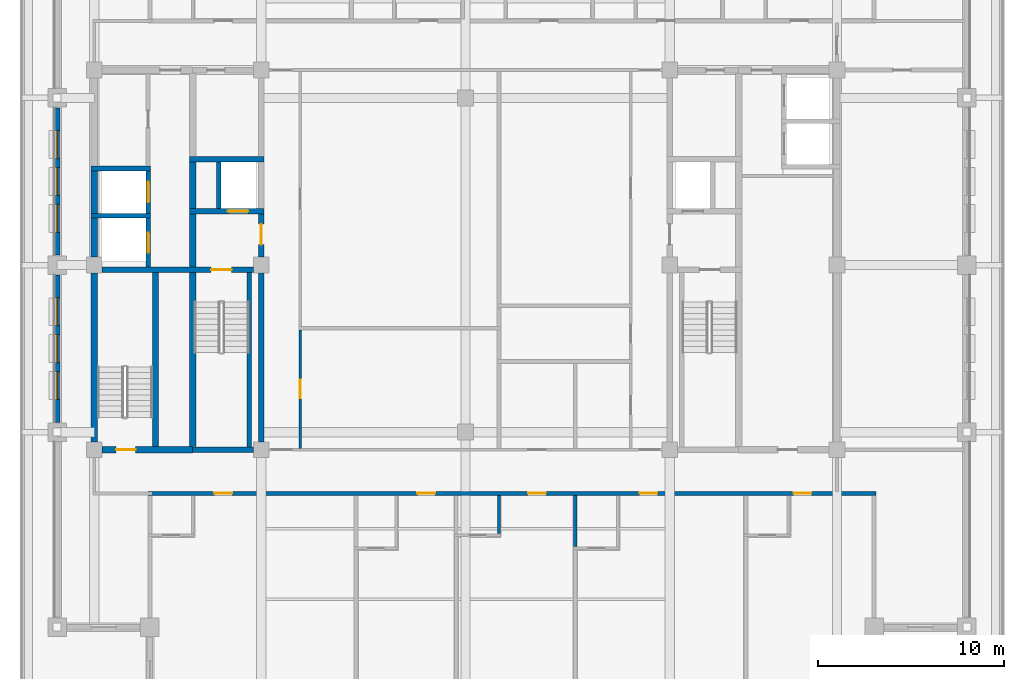
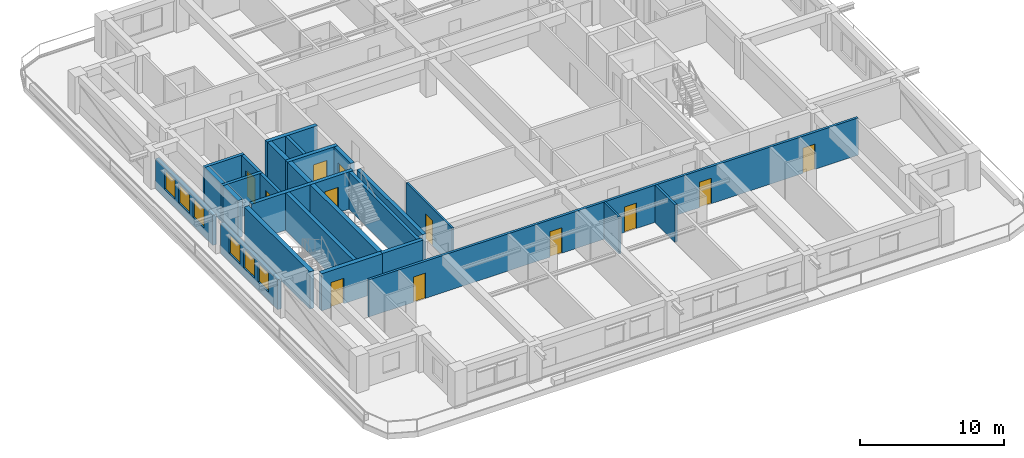
# One storey, part 3 of 13: 26 walls, 12 doors, 6 windows, 18 openings.
"""IFC4 building model written with IfcOpenShell, lengths in metres."""

from ifc_helpers import new_model, si_unit, direction, frame, frame_2d, origin, place, context, subcontext, project, spatial, rectangle, extrude, material, layer, layer_set, type_object, element, fill, save


model = new_model("IFC4")

# Units and contexts
model_context = context("Model", 3, precision=1e-05, world=origin(), true_north=direction((0.0, 1.0)))
body_context = subcontext(model_context, "Body", "Model", "MODEL_VIEW")
ifc_project = project(units=[si_unit("LENGTHUNIT", "METRE"), si_unit("AREAUNIT", "SQUARE_METRE"), si_unit("VOLUMEUNIT", "CUBIC_METRE"), si_unit("PLANEANGLEUNIT", "RADIAN"), si_unit("MASSUNIT", "GRAM", prefix="KILO")], contexts=[model_context])

# Site, building, storey
site_placement = place(None, origin())
site = spatial("IfcSite", under=ifc_project, at=site_placement, CompositionType="ELEMENT")
building_placement = place(site_placement, origin())
building = spatial("IfcBuilding", under=site, at=building_placement, Name="Zulmaris Gate Convention Tower", CompositionType="ELEMENT")
storey_placement = place(building_placement, frame((0.0, 0.0, 166.059814453125)))
storey = spatial("IfcBuildingStorey", under=building, at=storey_placement, Name="L42", CompositionType="ELEMENT", Elevation=166.059814453125)

# Walls
ifc_material_1 = material(Name="Concrete C50/60", Category="concrete")
ifc_layer_1 = layer(ifc_material_1, 0.25, Name="Concrete C50/60")
ifc_layer_set_1 = layer_set([ifc_layer_1], Name="Concrete C50/60")
wall_type_1 = type_object("IfcWallType", Name="CORE-250", PredefinedType="SOLIDWALL", material=ifc_layer_set_1)
for number, where, z_axis, x_axis, name in (
    (1, (-20.175048828125, 2.64990234375, 0.0), (0.0, 0.0, 1.0), (1.0, 0.0, 0.0), "WL-L42-007"),
    (2, (-20.175048828125, 5.199951171875, 0.0), (0.0, 0.0, 1.0), (1.0, 0.0, 0.0), "WL-L42-010"),
):
    element("IfcWall", number, at=place(storey_placement, frame(where, z_axis=z_axis, x_axis=x_axis)), inside=storey, type_object=wall_type_1, Name=name, PredefinedType="SOLIDWALL", context=body_context, shape_type="SweptSolid", body=[
        extrude(rectangle(XDim=3.199951171875, YDim=0.25, at=frame_2d((1.60009765625, 0.0))), origin(), (0.0, 0.0, 1.0), 3.150146484375),
    ])

# Wall, opening, door
wall_1_placement = place(storey_placement, frame((-17.10009765625, -0.097900390625, 0.0), z_axis=(0.0, 0.0, 1.0), x_axis=(0.0, 1.0, 0.0)))
wall_1 = element("IfcWall", 3, at=wall_1_placement, inside=storey, type_object=wall_type_1, Name="WL-L42-046", PredefinedType="SOLIDWALL", context=body_context, shape_type="SweptSolid", body=[
    extrude(rectangle(XDim=2.620849609375, YDim=0.25, at=frame_2d((1.310546875, 0.0))), origin(), (0.0, 0.0, 1.0), 3.150146484375),
])
opening_1_placement = place(wall_1_placement, frame((0.748046875, 0.0, 0.0)))
opening_1 = element("IfcOpeningElement", 4, at=opening_1_placement, cuts=wall_1, Name="Opening D-06", PredefinedType="OPENING", context=body_context, shape_type="SweptSolid", body=[
    extrude(rectangle(XDim=1.10009765625, YDim=2.199951171875, at=frame_2d((0.550048828125, 1.10009765625))), frame((0.0, 0.135009765625, 0.0), z_axis=(0.0, -1.0, 0.0), x_axis=(1.0, 0.0, 0.0)), (0.0, 0.0, 1.0), 0.27001953125),
])
ifc_material_2 = material(Name="Brushed Stainless Steel", Category="steel")
door_type_1 = type_object("IfcDoorType", Name="LD-1100", OperationType="NOTDEFINED", PredefinedType="DOOR", material=ifc_material_2)
door_1_placement = place(opening_1_placement, origin())
door_1 = element("IfcDoor", 5, at=door_1_placement, inside=storey, type_object=door_type_1, Name="L42 Lift Landing Door HP-03 10", OperationType="SLIDING_TO_LEFT", OverallHeight=2.199951171875, OverallWidth=1.10009765625, PredefinedType="DOOR", context=body_context, shape_type="SweptSolid", body=[
    extrude(rectangle(XDim=1.10009765625, YDim=2.199951171875, at=frame_2d((0.550048828125, 1.10009765625))), frame((0.0, 0.02490234375, 0.0), z_axis=(0.0, -1.0, 0.0), x_axis=(1.0, 0.0, 0.0)), (0.0, 0.0, 1.0), 0.050048828125),
])
fill(opening_1, door_1)

wall_2_placement = place(storey_placement, frame((-17.10009765625, 2.777099609375, 0.0), z_axis=(0.0, 0.0, 1.0), x_axis=(0.0, 1.0, 0.0)))
wall_2 = element("IfcWall", 6, at=wall_2_placement, inside=storey, type_object=wall_type_1, Name="WL-L42-047", PredefinedType="SOLIDWALL", context=body_context, shape_type="SweptSolid", body=[
    extrude(rectangle(XDim=2.2958984375, YDim=0.25, at=frame_2d((1.14794921875, 0.0))), origin(), (0.0, 0.0, 1.0), 3.150146484375),
])
opening_2_placement = place(wall_2_placement, frame((0.597900390625, 0.0, 0.0)))
opening_2 = element("IfcOpeningElement", 7, at=opening_2_placement, cuts=wall_2, Name="Opening D-06", PredefinedType="OPENING", context=body_context, shape_type="SweptSolid", body=[
    extrude(rectangle(XDim=1.10009765625, YDim=2.199951171875, at=frame_2d((0.550048828125, 1.10009765625))), frame((0.0, 0.135009765625, 0.0), z_axis=(0.0, -1.0, 0.0), x_axis=(1.0, 0.0, 0.0)), (0.0, 0.0, 1.0), 0.27001953125),
])
door_2_placement = place(opening_2_placement, origin())
door_2 = element("IfcDoor", 8, at=door_2_placement, inside=storey, type_object=door_type_1, Name="L42 Lift Landing Door HP-04 11", OperationType="SLIDING_TO_LEFT", OverallHeight=2.199951171875, OverallWidth=1.10009765625, PredefinedType="DOOR", context=body_context, shape_type="SweptSolid", body=[
    extrude(rectangle(XDim=1.10009765625, YDim=2.199951171875, at=frame_2d((0.550048828125, 1.10009765625))), frame((0.0, 0.02490234375, 0.0), z_axis=(0.0, -1.0, 0.0), x_axis=(1.0, 0.0, 0.0)), (0.0, 0.0, 1.0), 0.050048828125),
])
fill(opening_2, door_2)

# Walls
wall_3_placement = place(storey_placement, frame((-13.300048828125, 3.052001953125, 0.0), z_axis=(0.0, 0.0, 1.0), x_axis=(0.0, 1.0, 0.0)))
element("IfcWall", 9, at=wall_3_placement, inside=storey, type_object=wall_type_1, Name="WL-L42-053", PredefinedType="SOLIDWALL", context=body_context, shape_type="SweptSolid", body=[
    extrude(rectangle(XDim=2.49609375, YDim=0.25, at=frame_2d((1.248046875, 0.0))), origin(), (0.0, 0.0, 1.0), 3.150146484375),
])
wall_4_placement = place(storey_placement, frame((-11.64990234375, -9.798095703125, 0.0), z_axis=(0.0, 0.0, 1.0), x_axis=(0.0, 1.0, 0.0)))
element("IfcWall", 10, at=wall_4_placement, inside=storey, type_object=wall_type_1, Name="WL-L42-054", PredefinedType="SOLIDWALL", context=body_context, shape_type="SweptSolid", body=[
    extrude(rectangle(XDim=9.39599609375, YDim=0.25, at=frame_2d((4.697998046875, 0.0))), origin(), (0.0, 0.0, 1.0), 3.150146484375),
])
ifc_layer_2 = layer(ifc_material_1, 0.300048828125, Name="Concrete C50/60")
ifc_layer_set_2 = layer_set([ifc_layer_2], Name="Concrete C50/60")
wall_type_2 = type_object("IfcWallType", Name="CORE-300", PredefinedType="SHEAR", material=ifc_layer_set_2)
wall_5_placement = place(storey_placement, frame((-14.699951171875, -9.949951171875, 0.0), z_axis=(0.0, 0.0, 1.0), x_axis=(1.0, 0.0, 0.0)))
element("IfcWall", 11, at=wall_5_placement, inside=storey, type_object=wall_type_2, Name="WL-L42-002", PredefinedType="SHEAR", context=body_context, shape_type="SweptSolid", body=[
    extrude(rectangle(XDim=3.27099609375, YDim=0.300048828125, at=frame_2d((1.635498046875, 0.0))), origin(), (0.0, 0.0, 1.0), 3.150146484375),
])

# Wall, opening, door
wall_6_placement = place(storey_placement, frame((-19.571044921875, -0.25, 0.0), z_axis=(0.0, 0.0, 1.0), x_axis=(1.0, 0.0, 0.0)))
wall_6 = element("IfcWall", 12, at=wall_6_placement, inside=storey, type_object=wall_type_2, Name="WL-L42-005", PredefinedType="SHEAR", context=body_context, shape_type="SweptSolid", body=[
    extrude(rectangle(XDim=8.14208984375, YDim=0.300048828125, at=frame_2d((4.071044921875, 0.0))), origin(), (0.0, 0.0, 1.0), 3.150146484375),
])
opening_3_placement = place(wall_6_placement, frame((5.87109375, 0.0, 0.0)))
opening_3 = element("IfcOpeningElement", 13, at=opening_3_placement, cuts=wall_6, Name="Opening D-08", PredefinedType="OPENING", context=body_context, shape_type="SweptSolid", body=[
    extrude(rectangle(XDim=1.10009765625, YDim=2.14990234375, at=frame_2d((0.550048828125, 1.074951171875))), frame((0.0, 0.16015625, 0.0), z_axis=(0.0, -1.0, 0.0), x_axis=(1.0, 0.0, 0.0)), (0.0, 0.0, 1.0), 0.320068359375),
])
ifc_material_3 = material(Name="Fire-Rated Steel", Category="steel")
door_type_2 = type_object("IfcDoorType", Name="DR-1100-FD", OperationType="NOTDEFINED", PredefinedType="DOOR", material=ifc_material_3)
door_3_placement = place(opening_3_placement, origin())
door_3 = element("IfcDoor", 14, at=door_3_placement, inside=storey, type_object=door_type_2, Name="L42 Exit Stair ST-1 Door 01", OperationType="SINGLE_SWING_LEFT", OverallHeight=2.14990234375, OverallWidth=1.10009765625, PredefinedType="DOOR", context=body_context, shape_type="SweptSolid", body=[
    extrude(rectangle(XDim=1.10009765625, YDim=2.14990234375, at=frame_2d((0.550048828125, 1.074951171875))), frame((0.0, 0.02490234375, 0.0), z_axis=(0.0, -1.0, 0.0), x_axis=(1.0, 0.0, 0.0)), (0.0, 0.0, 1.0), 0.050048828125),
])
fill(opening_3, door_3)

wall_7_placement = place(storey_placement, frame((-14.875, 2.89990234375, 0.0), z_axis=(0.0, 0.0, 1.0), x_axis=(1.0, 0.0, 0.0)))
wall_7 = element("IfcWall", 15, at=wall_7_placement, inside=storey, type_object=wall_type_2, Name="WL-L42-008", PredefinedType="SHEAR", context=body_context, shape_type="SweptSolid", body=[
    extrude(rectangle(XDim=4.02490234375, YDim=0.300048828125, at=frame_2d((2.012451171875, 0.0))), origin(), (0.0, 0.0, 1.0), 3.150146484375),
])
opening_4_placement = place(wall_7_placement, frame((2.074951171875, 0.0, 0.0)))
opening_4 = element("IfcOpeningElement", 16, at=opening_4_placement, cuts=wall_7, Name="Opening D-06", PredefinedType="OPENING", context=body_context, shape_type="SweptSolid", body=[
    extrude(rectangle(XDim=1.10009765625, YDim=2.199951171875, at=frame_2d((0.550048828125, 1.10009765625))), frame((0.0, 0.16015625, 0.0), z_axis=(0.0, -1.0, 0.0), x_axis=(1.0, 0.0, 0.0)), (0.0, 0.0, 1.0), 0.320068359375),
])
door_4_placement = place(opening_4_placement, origin())
door_4 = element("IfcDoor", 17, at=door_4_placement, inside=storey, type_object=door_type_1, Name="L42 Lift Landing Door LF-01 03", OperationType="SLIDING_TO_LEFT", OverallHeight=2.199951171875, OverallWidth=1.10009765625, PredefinedType="DOOR", context=body_context, shape_type="SweptSolid", body=[
    extrude(rectangle(XDim=1.10009765625, YDim=2.199951171875, at=frame_2d((0.550048828125, 1.10009765625))), frame((0.0, 0.02490234375, 0.0), z_axis=(0.0, -1.0, 0.0), x_axis=(1.0, 0.0, 0.0)), (0.0, 0.0, 1.0), 0.050048828125),
])
fill(opening_4, door_4)

# Walls
wall_8_placement = place(storey_placement, frame((-14.875, 5.699951171875, 0.0), z_axis=(0.0, 0.0, 1.0), x_axis=(1.0, 0.0, 0.0)))
element("IfcWall", 18, at=wall_8_placement, inside=storey, type_object=wall_type_2, Name="WL-L42-012", PredefinedType="SHEAR", context=body_context, shape_type="SweptSolid", body=[
    extrude(rectangle(XDim=4.02490234375, YDim=0.300048828125, at=frame_2d((2.012451171875, 0.0))), origin(), (0.0, 0.0, 1.0), 3.150146484375),
])
wall_9_placement = place(storey_placement, frame((-16.699951171875, -9.77294921875, 0.0), z_axis=(0.0, 0.0, 1.0), x_axis=(0.0, 1.0, 0.0)))
element("IfcWall", 19, at=wall_9_placement, inside=storey, type_object=wall_type_2, Name="WL-L42-048", PredefinedType="SHEAR", context=body_context, shape_type="SweptSolid", body=[
    extrude(rectangle(XDim=9.370849609375, YDim=0.300048828125, at=frame_2d((4.685546875, 0.0))), origin(), (0.0, 0.0, 1.0), 3.150146484375),
])
wall_10_placement = place(storey_placement, frame((-11.0, -9.52099609375, 0.0), z_axis=(0.0, 0.0, 1.0), x_axis=(0.0, 1.0, 0.0)))
element("IfcWall", 20, at=wall_10_placement, inside=storey, type_object=wall_type_2, Name="WL-L42-055", PredefinedType="SHEAR", context=body_context, shape_type="SweptSolid", body=[
    extrude(rectangle(XDim=9.092041015625, YDim=0.300048828125, at=frame_2d((4.5458984375, 0.0))), origin(), (0.0, 0.0, 1.0), 3.150146484375),
])

# Wall, opening, door
wall_11_placement = place(storey_placement, frame((-11.0, 0.428955078125, 0.0), z_axis=(0.0, 0.0, 1.0), x_axis=(0.0, 1.0, 0.0)))
wall_11 = element("IfcWall", 21, at=wall_11_placement, inside=storey, type_object=wall_type_2, Name="WL-L42-056", PredefinedType="SHEAR", context=body_context, shape_type="SweptSolid", body=[
    extrude(rectangle(XDim=2.319091796875, YDim=0.300048828125, at=frame_2d((1.15966796875, 0.0))), origin(), (0.0, 0.0, 1.0), 3.150146484375),
])
opening_5_placement = place(wall_11_placement, frame((0.6708984375, 0.0, 0.0)))
opening_5 = element("IfcOpeningElement", 22, at=opening_5_placement, cuts=wall_11, Name="Opening D-08", PredefinedType="OPENING", context=body_context, shape_type="SweptSolid", body=[
    extrude(rectangle(XDim=1.10009765625, YDim=2.14990234375, at=frame_2d((0.550048828125, 1.074951171875))), frame((0.0, 0.16015625, 0.0), z_axis=(0.0, -1.0, 0.0), x_axis=(1.0, 0.0, 0.0)), (0.0, 0.0, 1.0), 0.320068359375),
])
door_5_placement = place(opening_5_placement, origin())
door_5 = element("IfcDoor", 23, at=door_5_placement, inside=storey, type_object=door_type_2, Name="L42 West Firefighting Lobby Door 02", OperationType="SINGLE_SWING_RIGHT", OverallHeight=2.14990234375, OverallWidth=1.10009765625, PredefinedType="DOOR", context=body_context, shape_type="SweptSolid", body=[
    extrude(rectangle(XDim=1.10009765625, YDim=2.14990234375, at=frame_2d((0.550048828125, 1.074951171875))), frame((0.0, 0.02490234375, 0.0), z_axis=(0.0, -1.0, 0.0), x_axis=(1.0, 0.0, 0.0)), (0.0, 0.0, 1.0), 0.050048828125),
])
fill(opening_5, door_5)

ifc_material_4 = material(Name="Concrete C55/67", Category="concrete")
ifc_layer_3 = layer(ifc_material_4, 0.35009765625, Name="Concrete C55/67")
ifc_layer_set_3 = layer_set([ifc_layer_3], Name="Concrete C55/67")
wall_type_3 = type_object("IfcWallType", Name="CORE-350", PredefinedType="SHEAR", material=ifc_layer_set_3)
wall_12_placement = place(storey_placement, frame((-19.571044921875, -9.949951171875, 0.0), z_axis=(0.0, 0.0, 1.0), x_axis=(1.0, 0.0, 0.0)))
wall_12 = element("IfcWall", 24, at=wall_12_placement, inside=storey, type_object=wall_type_3, Name="WL-L42-001", PredefinedType="SHEAR", context=body_context, shape_type="SweptSolid", body=[
    extrude(rectangle(XDim=4.87109375, YDim=0.35009765625, at=frame_2d((2.435546875, 0.0))), origin(), (0.0, 0.0, 1.0), 3.150146484375),
])
opening_6_placement = place(wall_12_placement, frame((0.74609375, 0.0, 0.0)))
opening_6 = element("IfcOpeningElement", 25, at=opening_6_placement, cuts=wall_12, Name="Opening D-09", PredefinedType="OPENING", context=body_context, shape_type="SweptSolid", body=[
    extrude(rectangle(XDim=1.050048828125, YDim=2.14990234375, at=frame_2d((0.52490234375, 1.074951171875))), frame((0.0, 0.18505859375, 0.0), z_axis=(0.0, -1.0, 0.0), x_axis=(1.0, 0.0, 0.0)), (0.0, 0.0, 1.0), 0.3701171875),
])
door_type_3 = type_object("IfcDoorType", Name="DR-1050-FD", OperationType="NOTDEFINED", PredefinedType="DOOR", material=ifc_material_3)
door_6_placement = place(opening_6_placement, origin())
door_6 = element("IfcDoor", 26, at=door_6_placement, inside=storey, type_object=door_type_3, Name="L42 Exit Stair ST-3 Door 09", OperationType="SINGLE_SWING_LEFT", OverallHeight=2.14990234375, OverallWidth=1.050048828125, PredefinedType="DOOR", context=body_context, shape_type="SweptSolid", body=[
    extrude(rectangle(XDim=1.050048828125, YDim=2.14990234375, at=frame_2d((0.52490234375, 1.074951171875))), frame((0.0, 0.02490234375, 0.0), z_axis=(0.0, -1.0, 0.0), x_axis=(1.0, 0.0, 0.0)), (0.0, 0.0, 1.0), 0.050048828125),
])
fill(opening_6, door_6)

# Walls
wall_13_placement = place(storey_placement, frame((-20.0, -9.52099609375, 0.0), z_axis=(0.0, 0.0, 1.0), x_axis=(0.0, 1.0, 0.0)))
element("IfcWall", 27, at=wall_13_placement, inside=storey, type_object=wall_type_3, Name="WL-L42-042", PredefinedType="SHEAR", context=body_context, shape_type="SweptSolid", body=[
    extrude(rectangle(XDim=9.092041015625, YDim=0.35009765625, at=frame_2d((4.5458984375, 0.0))), origin(), (0.0, 0.0, 1.0), 3.150146484375),
])
wall_14_placement = place(storey_placement, frame((-20.0, 0.428955078125, 0.0), z_axis=(0.0, 0.0, 1.0), x_axis=(0.0, 1.0, 0.0)))
element("IfcWall", 28, at=wall_14_placement, inside=storey, type_object=wall_type_3, Name="WL-L42-043", PredefinedType="SHEAR", context=body_context, shape_type="SweptSolid", body=[
    extrude(rectangle(XDim=2.093994140625, YDim=0.35009765625, at=frame_2d((1.046875, 0.0))), origin(), (0.0, 0.0, 1.0), 3.150146484375),
])
wall_15_placement = place(storey_placement, frame((-20.0, 2.777099609375, 0.0), z_axis=(0.0, 0.0, 1.0), x_axis=(0.0, 1.0, 0.0)))
element("IfcWall", 29, at=wall_15_placement, inside=storey, type_object=wall_type_3, Name="WL-L42-044", PredefinedType="SHEAR", context=body_context, shape_type="SweptSolid", body=[
    extrude(rectangle(XDim=2.2958984375, YDim=0.35009765625, at=frame_2d((1.14794921875, 0.0))), origin(), (0.0, 0.0, 1.0), 3.150146484375),
])
wall_16_placement = place(storey_placement, frame((-14.699951171875, -9.77294921875, 0.0), z_axis=(0.0, 0.0, 1.0), x_axis=(0.0, 1.0, 0.0)))
element("IfcWall", 30, at=wall_16_placement, inside=storey, type_object=wall_type_3, Name="WL-L42-049", PredefinedType="SHEAR", context=body_context, shape_type="SweptSolid", body=[
    extrude(rectangle(XDim=9.370849609375, YDim=0.35009765625, at=frame_2d((4.685546875, 0.0))), origin(), (0.0, 0.0, 1.0), 3.150146484375),
])
wall_17_placement = place(storey_placement, frame((-14.699951171875, -0.097900390625, 0.0), z_axis=(0.0, 0.0, 1.0), x_axis=(0.0, 1.0, 0.0)))
element("IfcWall", 31, at=wall_17_placement, inside=storey, type_object=wall_type_3, Name="WL-L42-050", PredefinedType="SHEAR", context=body_context, shape_type="SweptSolid", body=[
    extrude(rectangle(XDim=2.845947265625, YDim=0.35009765625, at=frame_2d((1.4228515625, 0.0))), origin(), (0.0, 0.0, 1.0), 3.150146484375),
])
wall_18_placement = place(storey_placement, frame((-14.699951171875, 3.052001953125, 0.0), z_axis=(0.0, 0.0, 1.0), x_axis=(0.0, 1.0, 0.0)))
element("IfcWall", 32, at=wall_18_placement, inside=storey, type_object=wall_type_3, Name="WL-L42-051", PredefinedType="SHEAR", context=body_context, shape_type="SweptSolid", body=[
    extrude(rectangle(XDim=2.49609375, YDim=0.35009765625, at=frame_2d((1.248046875, 0.0))), origin(), (0.0, 0.0, 1.0), 3.150146484375),
])

# Wall, opening, door
ifc_material_5 = material(Name="Gypsum Metal Stud Partition")
ifc_layer_4 = layer(ifc_material_5, 0.14990234375, Name="Gypsum Metal Stud Partition")
ifc_layer_set_4 = layer_set([ifc_layer_4], Name="Gypsum Metal Stud Partition")
wall_type_4 = type_object("IfcWallType", Name="PART-150", PredefinedType="PARTITIONING", material=ifc_layer_set_4)
wall_19_placement = place(storey_placement, frame((-8.89990234375, -9.8720703125, 0.0), z_axis=(0.0, 0.0, 1.0), x_axis=(0.0, 1.0, 0.0)))
wall_19 = element("IfcWall", 33, at=wall_19_placement, inside=storey, type_object=wall_type_4, Name="WL-L42-083", PredefinedType="PARTITIONING", context=body_context, shape_type="SweptSolid", body=[
    extrude(rectangle(XDim=6.369140625, YDim=0.14990234375, at=frame_2d((3.1845703125, 0.0))), origin(), (0.0, 0.0, 1.0), 3.150146484375),
])
opening_7_placement = place(wall_19_placement, frame((2.701904296875, 0.0, 0.0)))
opening_7 = element("IfcOpeningElement", 34, at=opening_7_placement, cuts=wall_19, Name="Opening D-10", PredefinedType="OPENING", context=body_context, shape_type="SweptSolid", body=[
    extrude(rectangle(XDim=1.0, YDim=2.14990234375, at=frame_2d((0.5, 1.074951171875))), frame((0.0, 0.0849609375, 0.0), z_axis=(0.0, -1.0, 0.0), x_axis=(1.0, 0.0, 0.0)), (0.0, 0.0, 1.0), 0.169921875),
])
ifc_material_6 = material(Name="Fire-Rated Timber", Category="wood")
door_type_4 = type_object("IfcDoorType", Name="DR-1000-FD", OperationType="NOTDEFINED", PredefinedType="DOOR", material=ifc_material_6)
door_7_placement = place(opening_7_placement, origin())
door_7 = element("IfcDoor", 35, at=door_7_placement, inside=storey, type_object=door_type_4, Name="L42 Guest Study Door 43", OperationType="SINGLE_SWING_LEFT", OverallHeight=2.14990234375, OverallWidth=1.0, PredefinedType="DOOR", context=body_context, shape_type="SweptSolid", body=[
    extrude(rectangle(XDim=1.0, YDim=2.14990234375, at=frame_2d((0.5, 1.074951171875))), frame((0.0, 0.02490234375, 0.0), z_axis=(0.0, -1.0, 0.0), x_axis=(1.0, 0.0, 0.0)), (0.0, 0.0, 1.0), 0.050048828125),
])
fill(opening_7, door_7)

# Wall
wall_20_placement = place(storey_placement, frame((1.800048828125, -14.471923828125, 0.0), z_axis=(0.0, 0.0, 1.0), x_axis=(0.0, 1.0, 0.0)))
element("IfcWall", 36, at=wall_20_placement, inside=storey, type_object=wall_type_4, Name="WL-L42-095", PredefinedType="PARTITIONING", context=body_context, shape_type="SweptSolid", body=[
    extrude(rectangle(XDim=2.06884765625, YDim=0.14990234375, at=frame_2d((1.034423828125, 0.0))), origin(), (0.0, 0.0, 1.0), 3.150146484375),
])

# Wall, openings, doors
ifc_material_7 = material(Name="Autoclaved Aerated Concrete Block and Plasterboard", Category="concrete")
ifc_layer_5 = layer(ifc_material_7, 0.199951171875, Name="Autoclaved Aerated Concrete Block and Plasterboard")
ifc_layer_set_5 = layer_set([ifc_layer_5], Name="Autoclaved Aerated Concrete Block and Plasterboard")
wall_type_5 = type_object("IfcWallType", Name="PART-200", PredefinedType="PARTITIONING", material=ifc_layer_set_5)
wall_21_placement = place(storey_placement, frame((-17.10009765625, -12.300048828125, 0.0), z_axis=(0.0, 0.0, 1.0), x_axis=(1.0, 0.0, 0.0)))
wall_21 = element("IfcWall", 37, at=wall_21_placement, inside=storey, type_object=wall_type_5, Name="WL-L42-025", PredefinedType="PARTITIONING", context=body_context, shape_type="SweptSolid", body=[
    extrude(rectangle(XDim=39.2001953125, YDim=0.199951171875, at=frame_2d((19.60009765625, 0.0))), origin(), (0.0, 0.0, 1.0), 3.150146484375),
])
opening_8_placement = place(wall_21_placement, frame((3.574951171875, 0.0, 0.0)))
opening_8 = element("IfcOpeningElement", 38, at=opening_8_placement, cuts=wall_21, Name="Opening D-11", PredefinedType="OPENING", context=body_context, shape_type="SweptSolid", body=[
    extrude(rectangle(XDim=0.949951171875, YDim=2.14990234375, at=frame_2d((0.47509765625, 1.074951171875))), frame((0.0, 0.10986328125, 0.0), z_axis=(0.0, -1.0, 0.0), x_axis=(1.0, 0.0, 0.0)), (0.0, 0.0, 1.0), 0.219970703125),
])
opening_9_placement = place(wall_21_placement, frame((14.5048828125, 0.0, 0.0)))
opening_9 = element("IfcOpeningElement", 39, at=opening_9_placement, cuts=wall_21, Name="Opening D-11", PredefinedType="OPENING", context=body_context, shape_type="SweptSolid", body=[
    extrude(rectangle(XDim=0.949951171875, YDim=2.14990234375, at=frame_2d((0.47509765625, 1.074951171875))), frame((0.0, 0.10986328125, 0.0), z_axis=(0.0, -1.0, 0.0), x_axis=(1.0, 0.0, 0.0)), (0.0, 0.0, 1.0), 0.219970703125),
])
opening_10_placement = place(wall_21_placement, frame((20.47509765625, 0.0, 0.0)))
opening_10 = element("IfcOpeningElement", 40, at=opening_10_placement, cuts=wall_21, Name="Opening D-11", PredefinedType="OPENING", context=body_context, shape_type="SweptSolid", body=[
    extrude(rectangle(XDim=0.949951171875, YDim=2.14990234375, at=frame_2d((0.47509765625, 1.074951171875))), frame((0.0, 0.10986328125, 0.0), z_axis=(0.0, -1.0, 0.0), x_axis=(1.0, 0.0, 0.0)), (0.0, 0.0, 1.0), 0.219970703125),
])
opening_11_placement = place(wall_21_placement, frame((26.47509765625, 0.0, 0.0)))
opening_11 = element("IfcOpeningElement", 41, at=opening_11_placement, cuts=wall_21, Name="Opening D-11", PredefinedType="OPENING", context=body_context, shape_type="SweptSolid", body=[
    extrude(rectangle(XDim=0.949951171875, YDim=2.14990234375, at=frame_2d((0.47509765625, 1.074951171875))), frame((0.0, 0.10986328125, 0.0), z_axis=(0.0, -1.0, 0.0), x_axis=(1.0, 0.0, 0.0)), (0.0, 0.0, 1.0), 0.219970703125),
])
opening_12_placement = place(wall_21_placement, frame((34.77490234375, 0.0, 0.0)))
opening_12 = element("IfcOpeningElement", 42, at=opening_12_placement, cuts=wall_21, Name="Opening D-11", PredefinedType="OPENING", context=body_context, shape_type="SweptSolid", body=[
    extrude(rectangle(XDim=0.949951171875, YDim=2.14990234375, at=frame_2d((0.47509765625, 1.074951171875))), frame((0.0, 0.10986328125, 0.0), z_axis=(0.0, -1.0, 0.0), x_axis=(1.0, 0.0, 0.0)), (0.0, 0.0, 1.0), 0.219970703125),
])
door_type_5 = type_object("IfcDoorType", Name="DR-950-FD", OperationType="NOTDEFINED", PredefinedType="DOOR", material=ifc_material_6)
door_8_placement = place(opening_8_placement, origin())
door_8 = element("IfcDoor", 43, at=door_8_placement, inside=storey, type_object=door_type_5, Name="L42 Hotel Executive Suite Door 32", OperationType="SINGLE_SWING_RIGHT", OverallHeight=2.14990234375, OverallWidth=0.949951171875, PredefinedType="DOOR", context=body_context, shape_type="SweptSolid", body=[
    extrude(rectangle(XDim=0.949951171875, YDim=2.14990234375, at=frame_2d((0.47509765625, 1.074951171875))), frame((0.0, 0.02490234375, 0.0), z_axis=(0.0, -1.0, 0.0), x_axis=(1.0, 0.0, 0.0)), (0.0, 0.0, 1.0), 0.050048828125),
])
fill(opening_8, door_8)
door_9_placement = place(opening_9_placement, origin())
door_9 = element("IfcDoor", 44, at=door_9_placement, inside=storey, type_object=door_type_5, Name="L42 Hotel Guest Room Door 34", OperationType="SINGLE_SWING_RIGHT", OverallHeight=2.14990234375, OverallWidth=0.949951171875, PredefinedType="DOOR", context=body_context, shape_type="SweptSolid", body=[
    extrude(rectangle(XDim=0.949951171875, YDim=2.14990234375, at=frame_2d((0.47509765625, 1.074951171875))), frame((0.0, 0.02490234375, 0.0), z_axis=(0.0, -1.0, 0.0), x_axis=(1.0, 0.0, 0.0)), (0.0, 0.0, 1.0), 0.050048828125),
])
fill(opening_9, door_9)
door_10_placement = place(opening_10_placement, origin())
door_10 = element("IfcDoor", 45, at=door_10_placement, inside=storey, type_object=door_type_5, Name="L42 Hotel Executive Suite Door 36", OperationType="SINGLE_SWING_RIGHT", OverallHeight=2.14990234375, OverallWidth=0.949951171875, PredefinedType="DOOR", context=body_context, shape_type="SweptSolid", body=[
    extrude(rectangle(XDim=0.949951171875, YDim=2.14990234375, at=frame_2d((0.47509765625, 1.074951171875))), frame((0.0, 0.02490234375, 0.0), z_axis=(0.0, -1.0, 0.0), x_axis=(1.0, 0.0, 0.0)), (0.0, 0.0, 1.0), 0.050048828125),
])
fill(opening_10, door_10)
door_11_placement = place(opening_11_placement, origin())
door_11 = element("IfcDoor", 46, at=door_11_placement, inside=storey, type_object=door_type_5, Name="L42 Hotel Executive Suite Door 38", OperationType="SINGLE_SWING_RIGHT", OverallHeight=2.14990234375, OverallWidth=0.949951171875, PredefinedType="DOOR", context=body_context, shape_type="SweptSolid", body=[
    extrude(rectangle(XDim=0.949951171875, YDim=2.14990234375, at=frame_2d((0.47509765625, 1.074951171875))), frame((0.0, 0.02490234375, 0.0), z_axis=(0.0, -1.0, 0.0), x_axis=(1.0, 0.0, 0.0)), (0.0, 0.0, 1.0), 0.050048828125),
])
fill(opening_11, door_11)
door_12_placement = place(opening_12_placement, origin())
door_12 = element("IfcDoor", 47, at=door_12_placement, inside=storey, type_object=door_type_5, Name="L42 Hotel Executive Suite Door 40", OperationType="SINGLE_SWING_RIGHT", OverallHeight=2.14990234375, OverallWidth=0.949951171875, PredefinedType="DOOR", context=body_context, shape_type="SweptSolid", body=[
    extrude(rectangle(XDim=0.949951171875, YDim=2.14990234375, at=frame_2d((0.47509765625, 1.074951171875))), frame((0.0, 0.02490234375, 0.0), z_axis=(0.0, -1.0, 0.0), x_axis=(1.0, 0.0, 0.0)), (0.0, 0.0, 1.0), 0.050048828125),
])
fill(opening_12, door_12)

# Wall
wall_22_placement = place(storey_placement, frame((5.89990234375, -15.172119140625, 0.0), z_axis=(0.0, 0.0, 1.0), x_axis=(0.0, 1.0, 0.0)))
element("IfcWall", 48, at=wall_22_placement, inside=storey, type_object=wall_type_5, Name="WL-L42-102", PredefinedType="PARTITIONING", context=body_context, shape_type="SweptSolid", body=[
    extrude(rectangle(XDim=2.76904296875, YDim=0.199951171875, at=frame_2d((1.384521484375, 0.0))), origin(), (0.0, 0.0, 1.0), 3.150146484375),
])

# Wall, openings, windows
ifc_material_8 = material(Name="Precast concrete C40/50", Category="concrete")
ifc_layer_6 = layer(ifc_material_8, 0.300048828125, Name="Precast concrete C40/50")
ifc_layer_set_6 = layer_set([ifc_layer_6], Name="Precast concrete C40/50")
wall_type_6 = type_object("IfcWallType", Name="PRECAST-PIER-300", PredefinedType="STANDARD", material=ifc_layer_set_6)
wall_23_placement = place(storey_placement, frame((-22.0, -0.530029296875, 0.0), z_axis=(0.0, 0.0, 1.0), x_axis=(0.0, -1.0, 0.0)))
wall_23 = element("IfcWall", 49, at=wall_23_placement, inside=storey, type_object=wall_type_6, Name="EW-L42-W-1_0", PredefinedType="STANDARD", context=body_context, shape_type="SweptSolid", body=[
    extrude(rectangle(XDim=7.93994140625, YDim=0.300048828125, at=frame_2d((3.969970703125, 0.0))), origin(), (0.0, 0.0, 1.0), 2.542236328125),
])
opening_13_placement = place(wall_23_placement, frame((1.235107421875, 0.0, 0.719970703125)))
opening_13 = element("IfcOpeningElement", 50, at=opening_13_placement, cuts=wall_23, Name="Opening W-03", PredefinedType="OPENING", context=body_context, shape_type="SweptSolid", body=[
    extrude(rectangle(XDim=1.5, YDim=1.60009765625, at=frame_2d((0.75, 0.800048828125))), frame((0.0, 0.16015625, 0.0), z_axis=(0.0, -1.0, 0.0), x_axis=(1.0, 0.0, 0.0)), (0.0, 0.0, 1.0), 0.320068359375),
])
opening_14_placement = place(wall_23_placement, frame((3.219970703125, 0.0, 0.719970703125)))
opening_14 = element("IfcOpeningElement", 51, at=opening_14_placement, cuts=wall_23, Name="Opening W-03", PredefinedType="OPENING", context=body_context, shape_type="SweptSolid", body=[
    extrude(rectangle(XDim=1.5, YDim=1.60009765625, at=frame_2d((0.75, 0.800048828125))), frame((0.0, 0.16015625, 0.0), z_axis=(0.0, -1.0, 0.0), x_axis=(1.0, 0.0, 0.0)), (0.0, 0.0, 1.0), 0.320068359375),
])
opening_15_placement = place(wall_23_placement, frame((5.205078125, 0.0, 0.719970703125)))
opening_15 = element("IfcOpeningElement", 52, at=opening_15_placement, cuts=wall_23, Name="Opening W-03", PredefinedType="OPENING", context=body_context, shape_type="SweptSolid", body=[
    extrude(rectangle(XDim=1.5, YDim=1.60009765625, at=frame_2d((0.75, 0.800048828125))), frame((0.0, 0.16015625, 0.0), z_axis=(0.0, -1.0, 0.0), x_axis=(1.0, 0.0, 0.0)), (0.0, 0.0, 1.0), 0.320068359375),
])
ifc_material_9 = material(Name="Low-E Laminated Double Glazing in Aluminium Frame", Category="aluminium")
window_type = type_object("IfcWindowType", Name="WIN-1500x2100", PartitioningType="SINGLE_PANEL", PredefinedType="WINDOW", material=ifc_material_9)
window_1_placement = place(opening_13_placement, origin())
window_1 = element("IfcWindow", 53, at=window_1_placement, inside=storey, type_object=window_type, Name="WN-EW-L42-W-1_0-1", OverallHeight=1.60009765625, OverallWidth=1.5, PartitioningType="SINGLE_PANEL", PredefinedType="WINDOW", context=body_context, shape_type="SweptSolid", body=[
    extrude(rectangle(XDim=1.5, YDim=1.60009765625, at=frame_2d((0.75, 0.800048828125))), frame((0.0, 0.030029296875, 0.0), z_axis=(0.0, -1.0, 0.0), x_axis=(1.0, 0.0, 0.0)), (0.0, 0.0, 1.0), 0.06005859375),
])
fill(opening_13, window_1)
window_2_placement = place(opening_14_placement, origin())
window_2 = element("IfcWindow", 54, at=window_2_placement, inside=storey, type_object=window_type, Name="WN-EW-L42-W-1_0-2", OverallHeight=1.60009765625, OverallWidth=1.5, PartitioningType="SINGLE_PANEL", PredefinedType="WINDOW", context=body_context, shape_type="SweptSolid", body=[
    extrude(rectangle(XDim=1.5, YDim=1.60009765625, at=frame_2d((0.75, 0.800048828125))), frame((0.0, 0.030029296875, 0.0), z_axis=(0.0, -1.0, 0.0), x_axis=(1.0, 0.0, 0.0)), (0.0, 0.0, 1.0), 0.06005859375),
])
fill(opening_14, window_2)
window_3_placement = place(opening_15_placement, origin())
window_3 = element("IfcWindow", 55, at=window_3_placement, inside=storey, type_object=window_type, Name="WN-EW-L42-W-1_0-3", OverallHeight=1.60009765625, OverallWidth=1.5, PartitioningType="SINGLE_PANEL", PredefinedType="WINDOW", context=body_context, shape_type="SweptSolid", body=[
    extrude(rectangle(XDim=1.5, YDim=1.60009765625, at=frame_2d((0.75, 0.800048828125))), frame((0.0, 0.030029296875, 0.0), z_axis=(0.0, -1.0, 0.0), x_axis=(1.0, 0.0, 0.0)), (0.0, 0.0, 1.0), 0.06005859375),
])
fill(opening_15, window_3)

wall_24_placement = place(storey_placement, frame((-22.0, 8.469970703125, 0.0), z_axis=(0.0, 0.0, 1.0), x_axis=(0.0, -1.0, 0.0)))
wall_24 = element("IfcWall", 56, at=wall_24_placement, inside=storey, type_object=wall_type_6, Name="EW-L42-W-2_0", PredefinedType="STANDARD", context=body_context, shape_type="SweptSolid", body=[
    extrude(rectangle(XDim=7.93994140625, YDim=0.300048828125, at=frame_2d((3.969970703125, 0.0))), origin(), (0.0, 0.0, 1.0), 2.542236328125),
])
opening_16_placement = place(wall_24_placement, frame((1.235107421875, 0.0, 0.719970703125)))
opening_16 = element("IfcOpeningElement", 57, at=opening_16_placement, cuts=wall_24, Name="Opening W-03", PredefinedType="OPENING", context=body_context, shape_type="SweptSolid", body=[
    extrude(rectangle(XDim=1.5, YDim=1.60009765625, at=frame_2d((0.75, 0.800048828125))), frame((0.0, 0.16015625, 0.0), z_axis=(0.0, -1.0, 0.0), x_axis=(1.0, 0.0, 0.0)), (0.0, 0.0, 1.0), 0.320068359375),
])
opening_17_placement = place(wall_24_placement, frame((3.219970703125, 0.0, 0.719970703125)))
opening_17 = element("IfcOpeningElement", 58, at=opening_17_placement, cuts=wall_24, Name="Opening W-03", PredefinedType="OPENING", context=body_context, shape_type="SweptSolid", body=[
    extrude(rectangle(XDim=1.5, YDim=1.60009765625, at=frame_2d((0.75, 0.800048828125))), frame((0.0, 0.16015625, 0.0), z_axis=(0.0, -1.0, 0.0), x_axis=(1.0, 0.0, 0.0)), (0.0, 0.0, 1.0), 0.320068359375),
])
opening_18_placement = place(wall_24_placement, frame((5.205078125, 0.0, 0.719970703125)))
opening_18 = element("IfcOpeningElement", 59, at=opening_18_placement, cuts=wall_24, Name="Opening W-03", PredefinedType="OPENING", context=body_context, shape_type="SweptSolid", body=[
    extrude(rectangle(XDim=1.5, YDim=1.60009765625, at=frame_2d((0.75, 0.800048828125))), frame((0.0, 0.16015625, 0.0), z_axis=(0.0, -1.0, 0.0), x_axis=(1.0, 0.0, 0.0)), (0.0, 0.0, 1.0), 0.320068359375),
])
window_4_placement = place(opening_16_placement, origin())
window_4 = element("IfcWindow", 60, at=window_4_placement, inside=storey, type_object=window_type, Name="WN-EW-L42-W-2_0-1", OverallHeight=1.60009765625, OverallWidth=1.5, PartitioningType="SINGLE_PANEL", PredefinedType="WINDOW", context=body_context, shape_type="SweptSolid", body=[
    extrude(rectangle(XDim=1.5, YDim=1.60009765625, at=frame_2d((0.75, 0.800048828125))), frame((0.0, 0.030029296875, 0.0), z_axis=(0.0, -1.0, 0.0), x_axis=(1.0, 0.0, 0.0)), (0.0, 0.0, 1.0), 0.06005859375),
])
fill(opening_16, window_4)
window_5_placement = place(opening_17_placement, origin())
window_5 = element("IfcWindow", 61, at=window_5_placement, inside=storey, type_object=window_type, Name="WN-EW-L42-W-2_0-2", OverallHeight=1.60009765625, OverallWidth=1.5, PartitioningType="SINGLE_PANEL", PredefinedType="WINDOW", context=body_context, shape_type="SweptSolid", body=[
    extrude(rectangle(XDim=1.5, YDim=1.60009765625, at=frame_2d((0.75, 0.800048828125))), frame((0.0, 0.030029296875, 0.0), z_axis=(0.0, -1.0, 0.0), x_axis=(1.0, 0.0, 0.0)), (0.0, 0.0, 1.0), 0.06005859375),
])
fill(opening_17, window_5)
window_6_placement = place(opening_18_placement, origin())
window_6 = element("IfcWindow", 62, at=window_6_placement, inside=storey, type_object=window_type, Name="WN-EW-L42-W-2_0-3", OverallHeight=1.60009765625, OverallWidth=1.5, PartitioningType="SINGLE_PANEL", PredefinedType="WINDOW", context=body_context, shape_type="SweptSolid", body=[
    extrude(rectangle(XDim=1.5, YDim=1.60009765625, at=frame_2d((0.75, 0.800048828125))), frame((0.0, 0.030029296875, 0.0), z_axis=(0.0, -1.0, 0.0), x_axis=(1.0, 0.0, 0.0)), (0.0, 0.0, 1.0), 0.06005859375),
])
fill(opening_18, window_6)

save(model, "model.ifc")
